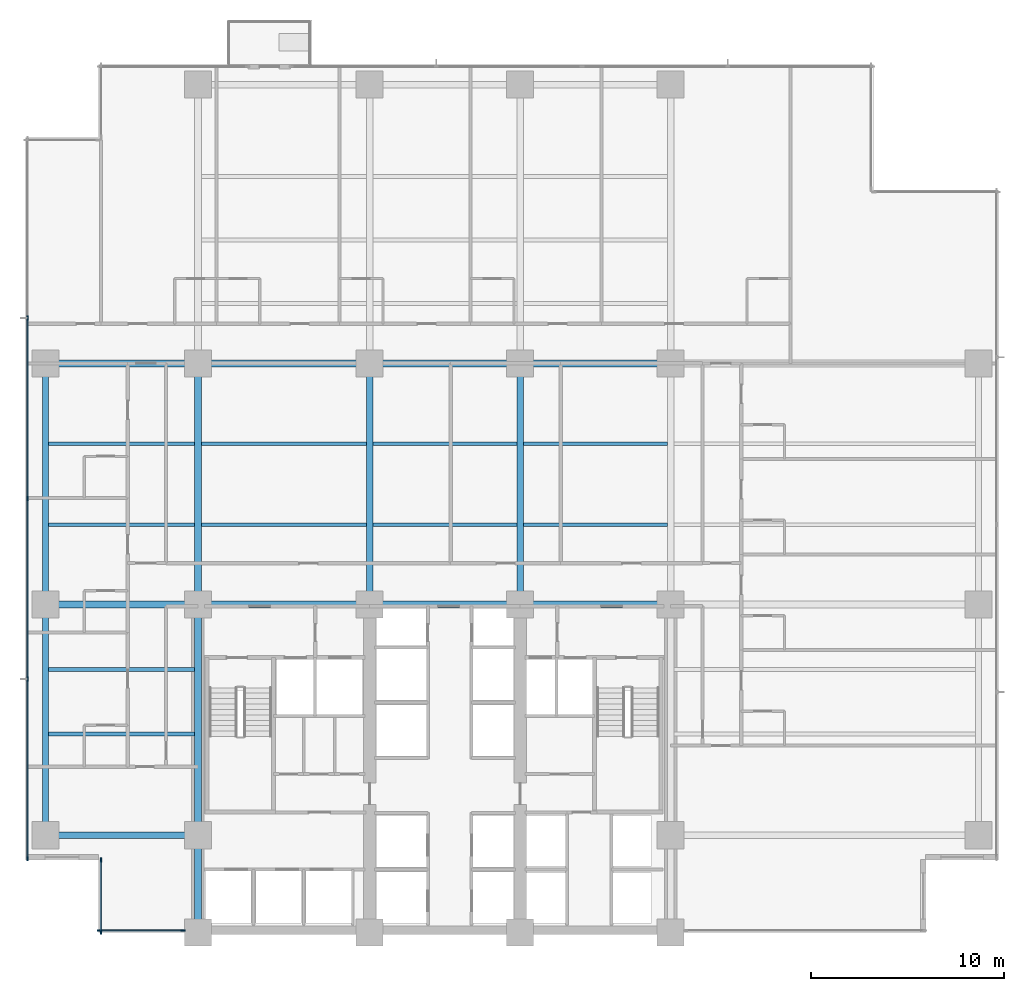
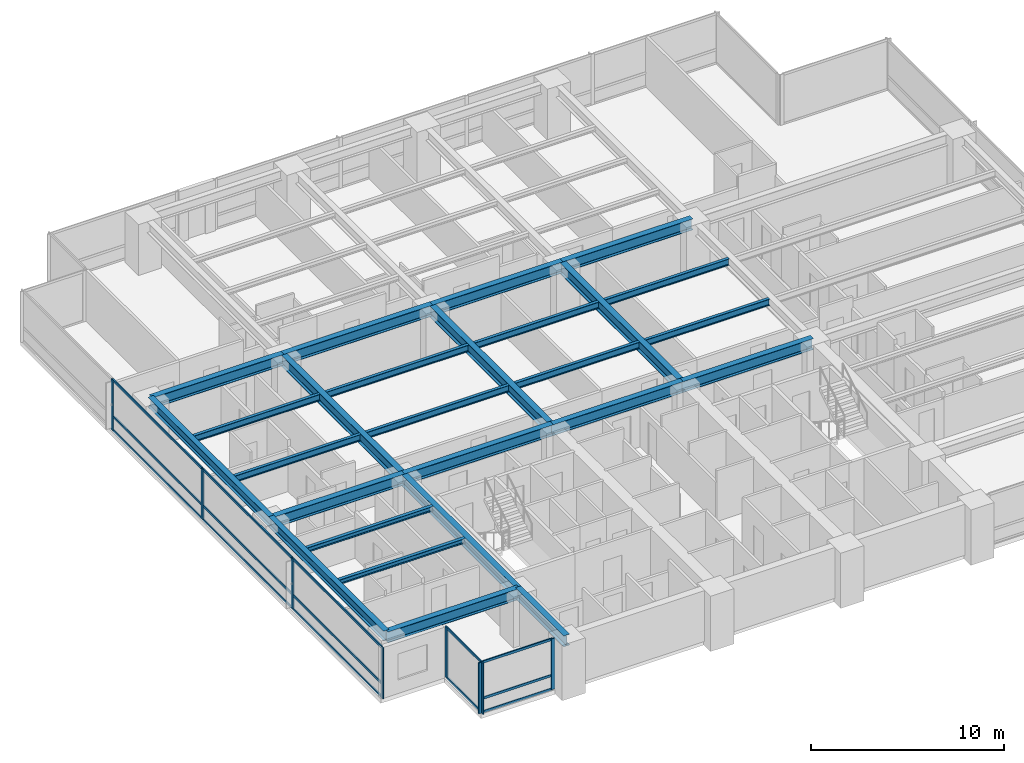
# One storey, part 2 of 17: 26 beams, 22 members, 3 elements without a shape of their own.
"""IFC4 building model written with IfcOpenShell, lengths in metres."""

from ifc_helpers import new_model, si_unit, direction, frame, origin, origin_2d, place, context, subcontext, project, spatial, rectangle, i_section, extrude, material, layer, layer_set, material_profile, profile_set, type_object, element, aggregate, save


model = new_model("IFC4")

# Units and contexts
model_context = context("Model", 3, precision=1e-05, world=origin(), true_north=direction((0.0, 1.0)))
body_context = subcontext(model_context, "Body", "Model", "MODEL_VIEW")
ifc_project = project(units=[si_unit("LENGTHUNIT", "METRE"), si_unit("AREAUNIT", "SQUARE_METRE"), si_unit("VOLUMEUNIT", "CUBIC_METRE"), si_unit("PLANEANGLEUNIT", "RADIAN"), si_unit("MASSUNIT", "GRAM", prefix="KILO")], contexts=[model_context])

# Site, building, storey
site_placement = place(None, origin())
site = spatial("IfcSite", under=ifc_project, at=site_placement, CompositionType="ELEMENT")
building_placement = place(site_placement, origin())
building = spatial("IfcBuilding", under=site, at=building_placement, Name="Qalmaran Belvedere Hotel", CompositionType="ELEMENT")
storey_placement = place(building_placement, frame((0.0, 0.0, 33.39990234375)))
storey = spatial("IfcBuildingStorey", under=building, at=storey_placement, Name="L07", CompositionType="ELEMENT", Elevation=33.39990234375)

# Beams
ifc_material_1 = material(Name="Steel S355JR", Category="steel")
ifc_material_profile_1 = material_profile(ifc_material_1, i_section(OverallWidth=0.202880859375, OverallDepth=0.302978515625, WebThickness=0.007568359375, FlangeThickness=0.01318359375, FilletRadius=0.012939453125, at=origin_2d()), Name="W310X60")
ifc_profile_set_1 = profile_set([ifc_material_profile_1], Name="Steel S355JR")
beam_type_1 = type_object("IfcBeamType", Name="BM-JST-W310X60", PredefinedType="JOIST", material=ifc_profile_set_1)
for number, where, z_axis, x_axis, name in (
    (1, (12.5615234375, 13.800048828125, 3.068603515625), (1.0, 0.0, 0.0), (0.0, 1.0, 0.0), "L07 West Wing Joist 038"),
    (2, (12.5615234375, 17.14990234375, 3.068603515625), (1.0, 0.0, 0.0), (0.0, 1.0, 0.0), "L07 West Wing Joist 040"),
):
    element("IfcBeam", number, at=place(storey_placement, frame(where, z_axis=z_axis, x_axis=x_axis)), inside=storey, type_object=beam_type_1, Name=name, PredefinedType="JOIST", context=body_context, shape_type="SweptSolid", body=[
        extrude(i_section(OverallWidth=0.202880859375, OverallDepth=0.302978515625, WebThickness=0.007568359375, FlangeThickness=0.01318359375, FilletRadius=0.012939453125, at=origin_2d()), origin(), (0.0, 0.0, 1.0), 7.56298828125),
    ])
ifc_material_profile_2 = material_profile(ifc_material_1, i_section(OverallWidth=0.180908203125, OverallDepth=0.4169921875, WebThickness=0.010986328125, FlangeThickness=0.018310546875, FilletRadius=0.014892578125, at=origin_2d()), Name="W410X85")
ifc_profile_set_2 = profile_set([ifc_material_profile_2], Name="Steel S355JR")
beam_type_2 = type_object("IfcBeamType", Name="BM-SB1-W410X85", PredefinedType="BEAM", material=ifc_profile_set_2)
beam_1_placement = place(storey_placement, frame((12.5615234375, 24.64990234375, 3.01171875), z_axis=(1.0, 0.0, 0.0), x_axis=(0.0, 1.0, 0.0)))
element("IfcBeam", 3, at=beam_1_placement, inside=storey, type_object=beam_type_2, Name="L07 West Secondary Beam 028", PredefinedType="BEAM", context=body_context, shape_type="SweptSolid", body=[
    extrude(i_section(OverallWidth=0.180908203125, OverallDepth=0.4169921875, WebThickness=0.010986328125, FlangeThickness=0.018310546875, FilletRadius=0.014892578125, at=origin_2d()), origin(), (0.0, 0.0, 1.0), 7.56298828125),
])
beam_2_placement = place(storey_placement, frame((20.4755859375, 24.64990234375, 3.01171875), z_axis=(1.0, 0.0, 0.0), x_axis=(0.0, 1.0, 0.0)))
element("IfcBeam", 4, at=beam_2_placement, inside=storey, type_object=beam_type_2, Name="L07 Secondary Floor Beam 029", PredefinedType="BEAM", context=body_context, shape_type="SweptSolid", body=[
    extrude(i_section(OverallWidth=0.180908203125, OverallDepth=0.4169921875, WebThickness=0.010986328125, FlangeThickness=0.018310546875, FilletRadius=0.014892578125, at=origin_2d()), origin(), (0.0, 0.0, 1.0), 8.548828125),
])
for number, where, z_axis, x_axis, name in (
    (5, (29.37548828125, 24.64990234375, 3.01171875), (1.0, 0.0, 0.0), (0.0, 1.0, 0.0), "L07 Secondary Floor Beam 030"),
    (6, (37.175537109375, 24.64990234375, 3.01171875), (1.0, 0.0, 0.0), (0.0, 1.0, 0.0), "L07 Secondary Floor Beam 031"),
):
    element("IfcBeam", number, at=place(storey_placement, frame(where, z_axis=z_axis, x_axis=x_axis)), inside=storey, type_object=beam_type_2, Name=name, PredefinedType="BEAM", context=body_context, shape_type="SweptSolid", body=[
        extrude(i_section(OverallWidth=0.180908203125, OverallDepth=0.4169921875, WebThickness=0.010986328125, FlangeThickness=0.018310546875, FilletRadius=0.014892578125, at=origin_2d()), origin(), (0.0, 0.0, 1.0), 7.448974609375),
    ])
beam_3_placement = place(storey_placement, frame((12.5615234375, 28.85009765625, 3.01171875), z_axis=(1.0, 0.0, 0.0), x_axis=(0.0, 1.0, 0.0)))
element("IfcBeam", 7, at=beam_3_placement, inside=storey, type_object=beam_type_2, Name="L07 West Secondary Beam 033", PredefinedType="BEAM", context=body_context, shape_type="SweptSolid", body=[
    extrude(i_section(OverallWidth=0.180908203125, OverallDepth=0.4169921875, WebThickness=0.010986328125, FlangeThickness=0.018310546875, FilletRadius=0.014892578125, at=origin_2d()), origin(), (0.0, 0.0, 1.0), 7.56298828125),
])
beam_4_placement = place(storey_placement, frame((20.4755859375, 28.85009765625, 3.01171875), z_axis=(1.0, 0.0, 0.0), x_axis=(0.0, 1.0, 0.0)))
element("IfcBeam", 8, at=beam_4_placement, inside=storey, type_object=beam_type_2, Name="L07 Secondary Floor Beam 034", PredefinedType="BEAM", context=body_context, shape_type="SweptSolid", body=[
    extrude(i_section(OverallWidth=0.180908203125, OverallDepth=0.4169921875, WebThickness=0.010986328125, FlangeThickness=0.018310546875, FilletRadius=0.014892578125, at=origin_2d()), origin(), (0.0, 0.0, 1.0), 8.548828125),
])
for number, where, z_axis, x_axis, name in (
    (9, (29.37548828125, 28.85009765625, 3.01171875), (1.0, 0.0, 0.0), (0.0, 1.0, 0.0), "L07 Secondary Floor Beam 035"),
    (10, (37.175537109375, 28.85009765625, 3.01171875), (1.0, 0.0, 0.0), (0.0, 1.0, 0.0), "L07 Secondary Floor Beam 036"),
):
    element("IfcBeam", number, at=place(storey_placement, frame(where, z_axis=z_axis, x_axis=x_axis)), inside=storey, type_object=beam_type_2, Name=name, PredefinedType="BEAM", context=body_context, shape_type="SweptSolid", body=[
        extrude(i_section(OverallWidth=0.180908203125, OverallDepth=0.4169921875, WebThickness=0.010986328125, FlangeThickness=0.018310546875, FilletRadius=0.014892578125, at=origin_2d()), origin(), (0.0, 0.0, 1.0), 7.448974609375),
    ])
ifc_material_profile_3 = material_profile(ifc_material_1, i_section(OverallWidth=0.326904296875, OverallDepth=0.6220703125, WebThickness=0.015380859375, FlangeThickness=0.0244140625, FilletRadius=0.02001953125, at=origin_2d()), Name="W610X195")
ifc_profile_set_3 = profile_set([ifc_material_profile_3], Name="Steel S355JR")
beam_type_3 = type_object("IfcBeamType", Name="BM-SP1-W610X195", PredefinedType="SPANDREL", material=ifc_profile_set_3)
beam_5_placement = place(storey_placement, frame((12.39990234375, 8.550048828125, 2.9091796875), z_axis=(0.0, 1.0, 0.0), x_axis=(-1.0, 0.0, 0.0)))
element("IfcBeam", 11, at=beam_5_placement, inside=storey, type_object=beam_type_3, Name="L07 Perimeter Spandrel 01", PredefinedType="SPANDREL", context=body_context, shape_type="SweptSolid", body=[
    extrude(i_section(OverallWidth=0.326904296875, OverallDepth=0.6220703125, WebThickness=0.015380859375, FlangeThickness=0.0244140625, FilletRadius=0.02001953125, at=origin_2d()), origin(), (0.0, 0.0, 1.0), 11.949951171875),
])
beam_6_placement = place(storey_placement, frame((12.39990234375, 20.5, 2.9091796875), z_axis=(0.0, 1.0, 0.0), x_axis=(-1.0, 0.0, 0.0)))
element("IfcBeam", 12, at=beam_6_placement, inside=storey, type_object=beam_type_3, Name="L07 Perimeter Spandrel 02", PredefinedType="SPANDREL", context=body_context, shape_type="SweptSolid", body=[
    extrude(i_section(OverallWidth=0.326904296875, OverallDepth=0.6220703125, WebThickness=0.015380859375, FlangeThickness=0.0244140625, FilletRadius=0.02001953125, at=origin_2d()), origin(), (0.0, 0.0, 1.0), 12.5),
])
ifc_material_profile_4 = material_profile(ifc_material_1, i_section(OverallWidth=0.35498046875, OverallDepth=0.695068359375, WebThickness=0.015380859375, FlangeThickness=0.02490234375, FilletRadius=0.02197265625, at=origin_2d()), Name="W690X217")
ifc_profile_set_4 = profile_set([ifc_material_profile_4], Name="Steel S355JR")
beam_type_4 = type_object("IfcBeamType", Name="BM-Z1-W690X217", PredefinedType="USERDEFINED", material=ifc_profile_set_4)
beam_7_placement = place(storey_placement, frame((20.300048828125, 20.5, 2.87255859375), z_axis=(1.0, 0.0, 0.0), x_axis=(0.0, 1.0, 0.0)))
element("IfcBeam", 13, at=beam_7_placement, inside=storey, type_object=beam_type_4, Name="L07 Interior E-W Girder 08", ObjectType="GIRDER", PredefinedType="USERDEFINED", context=body_context, shape_type="SweptSolid", body=[
    extrude(i_section(OverallWidth=0.35498046875, OverallDepth=0.695068359375, WebThickness=0.015380859375, FlangeThickness=0.02490234375, FilletRadius=0.02197265625, at=origin_2d()), origin(), (0.0, 0.0, 1.0), 8.89990234375),
])
for number, where, z_axis, x_axis, name in (
    (14, (29.199951171875, 20.5, 2.87255859375), (1.0, 0.0, 0.0), (0.0, 1.0, 0.0), "L07 Interior E-W Girder 09"),
    (15, (37.0, 20.5, 2.87255859375), (1.0, 0.0, 0.0), (0.0, 1.0, 0.0), "L07 Interior E-W Girder 10"),
):
    element("IfcBeam", number, at=place(storey_placement, frame(where, z_axis=z_axis, x_axis=x_axis)), inside=storey, type_object=beam_type_4, Name=name, ObjectType="GIRDER", PredefinedType="USERDEFINED", context=body_context, shape_type="SweptSolid", body=[
        extrude(i_section(OverallWidth=0.35498046875, OverallDepth=0.695068359375, WebThickness=0.015380859375, FlangeThickness=0.02490234375, FilletRadius=0.02197265625, at=origin_2d()), origin(), (0.0, 0.0, 1.0), 7.800048828125),
    ])
beam_8_placement = place(storey_placement, frame((20.300048828125, 33.0, 2.87255859375), z_axis=(1.0, 0.0, 0.0), x_axis=(0.0, 1.0, 0.0)))
element("IfcBeam", 16, at=beam_8_placement, inside=storey, type_object=beam_type_4, Name="L07 Interior E-W Girder 11", ObjectType="GIRDER", PredefinedType="USERDEFINED", context=body_context, shape_type="SweptSolid", body=[
    extrude(i_section(OverallWidth=0.35498046875, OverallDepth=0.695068359375, WebThickness=0.015380859375, FlangeThickness=0.02490234375, FilletRadius=0.02197265625, at=origin_2d()), origin(), (0.0, 0.0, 1.0), 8.89990234375),
])
for number, where, z_axis, x_axis, name in (
    (17, (29.199951171875, 33.0, 2.87255859375), (1.0, 0.0, 0.0), (0.0, 1.0, 0.0), "L07 Interior E-W Girder 12"),
    (18, (37.0, 33.0, 2.87255859375), (1.0, 0.0, 0.0), (0.0, 1.0, 0.0), "L07 Interior E-W Girder 13"),
):
    element("IfcBeam", number, at=place(storey_placement, frame(where, z_axis=z_axis, x_axis=x_axis)), inside=storey, type_object=beam_type_4, Name=name, ObjectType="GIRDER", PredefinedType="USERDEFINED", context=body_context, shape_type="SweptSolid", body=[
        extrude(i_section(OverallWidth=0.35498046875, OverallDepth=0.695068359375, WebThickness=0.015380859375, FlangeThickness=0.02490234375, FilletRadius=0.02197265625, at=origin_2d()), origin(), (0.0, 0.0, 1.0), 7.800048828125),
    ])
for number, where, z_axis, x_axis, name in (
    (19, (20.300048828125, 20.5, 2.87255859375), (0.0, 1.0, 0.0), (-1.0, 0.0, 0.0), "L07 Mid-Plate N-S Girder 14"),
    (20, (29.199951171875, 20.5, 2.87255859375), (0.0, 1.0, 0.0), (-1.0, 0.0, 0.0), "L07 Mid-Plate N-S Girder 16"),
    (21, (37.0, 20.5, 2.87255859375), (0.0, 1.0, 0.0), (-1.0, 0.0, 0.0), "L07 Mid-Plate N-S Girder 18"),
):
    element("IfcBeam", number, at=place(storey_placement, frame(where, z_axis=z_axis, x_axis=x_axis)), inside=storey, type_object=beam_type_4, Name=name, ObjectType="GIRDER", PredefinedType="USERDEFINED", context=body_context, shape_type="SweptSolid", body=[
        extrude(i_section(OverallWidth=0.35498046875, OverallDepth=0.695068359375, WebThickness=0.015380859375, FlangeThickness=0.02490234375, FilletRadius=0.02197265625, at=origin_2d()), origin(), (0.0, 0.0, 1.0), 12.5),
    ])
for number, where, z_axis, x_axis, name in (
    (22, (12.39990234375, 8.550048828125, 2.87255859375), (1.0, 0.0, 0.0), (0.0, 1.0, 0.0), "L07 West Wing Girder 22"),
    (23, (12.39990234375, 20.5, 2.87255859375), (1.0, 0.0, 0.0), (0.0, 1.0, 0.0), "L07 West Wing Girder 23"),
    (24, (12.39990234375, 33.0, 2.87255859375), (1.0, 0.0, 0.0), (0.0, 1.0, 0.0), "L07 West Wing Girder 24"),
):
    element("IfcBeam", number, at=place(storey_placement, frame(where, z_axis=z_axis, x_axis=x_axis)), inside=storey, type_object=beam_type_4, Name=name, ObjectType="GIRDER", PredefinedType="USERDEFINED", context=body_context, shape_type="SweptSolid", body=[
        extrude(i_section(OverallWidth=0.35498046875, OverallDepth=0.695068359375, WebThickness=0.015380859375, FlangeThickness=0.02490234375, FilletRadius=0.02197265625, at=origin_2d()), origin(), (0.0, 0.0, 1.0), 7.900146484375),
    ])
beam_9_placement = place(storey_placement, frame((20.300048828125, 3.5, 2.87255859375), z_axis=(0.0, 1.0, 0.0), x_axis=(-1.0, 0.0, 0.0)))
element("IfcBeam", 25, at=beam_9_placement, inside=storey, type_object=beam_type_4, Name="L07 West Core Edge Girder A", ObjectType="GIRDER", PredefinedType="USERDEFINED", context=body_context, shape_type="SweptSolid", body=[
    extrude(i_section(OverallWidth=0.35498046875, OverallDepth=0.695068359375, WebThickness=0.015380859375, FlangeThickness=0.02490234375, FilletRadius=0.02197265625, at=origin_2d()), origin(), (0.0, 0.0, 1.0), 5.050048828125),
])
beam_10_placement = place(storey_placement, frame((20.300048828125, 8.550048828125, 2.87255859375), z_axis=(0.0, 1.0, 0.0), x_axis=(-1.0, 0.0, 0.0)))
element("IfcBeam", 26, at=beam_10_placement, inside=storey, type_object=beam_type_4, Name="L07 West Core Edge Girder B", ObjectType="GIRDER", PredefinedType="USERDEFINED", context=body_context, shape_type="SweptSolid", body=[
    extrude(i_section(OverallWidth=0.35498046875, OverallDepth=0.695068359375, WebThickness=0.015380859375, FlangeThickness=0.02490234375, FilletRadius=0.02197265625, at=origin_2d()), origin(), (0.0, 0.0, 1.0), 11.949951171875),
])

# Curtain wall, members
ifc_material_2 = material(Name="Anodised Bronze Aluminium", Category="aluminium")
ifc_layer = layer(ifc_material_2, 0.2099609375, Name="Anodised Bronze Aluminium")
ifc_layer_set = layer_set([ifc_layer], Name="Anodised Bronze Aluminium")
curtain_wall_type = type_object("IfcCurtainWallType", Name="CW2-TOWER-LOWER", PredefinedType="NOTDEFINED", material=ifc_layer_set)
curtain_wall_1_placement = place(storey_placement, origin())
curtain_wall_1 = element("IfcCurtainWall", 27, at=curtain_wall_1_placement, inside=storey, type_object=curtain_wall_type, Name="L07 Curtain Wall CW2", PredefinedType="NOTDEFINED")
ifc_material_profile_5 = material_profile(ifc_material_2, rectangle(XDim=0.074951171875, YDim=0.219970703125, at=origin_2d()), Name="CWM75X220")
ifc_profile_set_5 = profile_set([ifc_material_profile_5], Name="Anodised Bronze Aluminium")
member_type_1 = type_object("IfcMemberType", Name="CWM-75X220", PredefinedType="MULLION", material=ifc_profile_set_5)
member_1_placement = place(storey_placement, frame((15.1875, 3.6201171875, 0.0), z_axis=(0.0, 0.0, 1.0), x_axis=(0.0, 1.0, 0.0)))
member_1 = element("IfcMember", 28, at=member_1_placement, type_object=member_type_1, Name="CW2 mullion 1", PredefinedType="MULLION", context=body_context, shape_type="SweptSolid", body=[
    extrude(rectangle(XDim=0.074951171875, YDim=0.219970703125, at=origin_2d()), origin(), (0.0, 0.0, 1.0), 3.22021484375),
])
member_2_placement = place(storey_placement, frame((19.5224609375, 3.6201171875, 0.0), z_axis=(0.0, 0.0, 1.0), x_axis=(0.0, 1.0, 0.0)))
member_2 = element("IfcMember", 29, at=member_2_placement, type_object=member_type_1, Name="CW2 mullion 2", PredefinedType="MULLION", context=body_context, shape_type="SweptSolid", body=[
    extrude(rectangle(XDim=0.074951171875, YDim=0.219970703125, at=origin_2d()), origin(), (0.0, 0.0, 1.0), 3.22021484375),
])

curtain_wall_2_placement = place(storey_placement, origin())
curtain_wall_2 = element("IfcCurtainWall", 30, at=curtain_wall_2_placement, inside=storey, type_object=curtain_wall_type, Name="L07 Curtain Wall CW2", PredefinedType="NOTDEFINED")
member_3_placement = place(storey_placement, frame((11.469970703125, 35.35009765625, 0.0), z_axis=(0.0, 0.0, 1.0), x_axis=(1.0, 0.0, 0.0)))
member_3 = element("IfcMember", 31, at=member_3_placement, type_object=member_type_1, Name="CW2 mullion 2", PredefinedType="MULLION", context=body_context, shape_type="SweptSolid", body=[
    extrude(rectangle(XDim=0.074951171875, YDim=0.219970703125, at=origin_2d()), origin(), (0.0, 0.0, 1.0), 3.22021484375),
])
member_4_placement = place(storey_placement, frame((11.469970703125, 26.0, 0.0), z_axis=(0.0, 0.0, 1.0), x_axis=(1.0, 0.0, 0.0)))
member_4 = element("IfcMember", 32, at=member_4_placement, type_object=member_type_1, Name="CW2 mullion 3", PredefinedType="MULLION", context=body_context, shape_type="SweptSolid", body=[
    extrude(rectangle(XDim=0.074951171875, YDim=0.219970703125, at=origin_2d()), origin(), (0.0, 0.0, 1.0), 3.22021484375),
])
member_5_placement = place(storey_placement, frame((11.469970703125, 16.64990234375, 0.0), z_axis=(0.0, 0.0, 1.0), x_axis=(1.0, 0.0, 0.0)))
member_5 = element("IfcMember", 33, at=member_5_placement, type_object=member_type_1, Name="CW2 mullion 4", PredefinedType="MULLION", context=body_context, shape_type="SweptSolid", body=[
    extrude(rectangle(XDim=0.074951171875, YDim=0.219970703125, at=origin_2d()), origin(), (0.0, 0.0, 1.0), 3.22021484375),
])
member_6_placement = place(storey_placement, frame((11.469970703125, 7.33740234375, 0.0), z_axis=(0.0, 0.0, 1.0), x_axis=(1.0, 0.0, 0.0)))
member_6 = element("IfcMember", 34, at=member_6_placement, type_object=member_type_1, Name="CW2 mullion 5", PredefinedType="MULLION", context=body_context, shape_type="SweptSolid", body=[
    extrude(rectangle(XDim=0.074951171875, YDim=0.219970703125, at=origin_2d()), origin(), (0.0, 0.0, 1.0), 3.22021484375),
])

curtain_wall_3_placement = place(storey_placement, origin())
curtain_wall_3 = element("IfcCurtainWall", 35, at=curtain_wall_3_placement, inside=storey, type_object=curtain_wall_type, Name="L07 Curtain Wall CW2", PredefinedType="NOTDEFINED")
member_7_placement = place(storey_placement, frame((15.27001953125, 7.262451171875, 0.0), z_axis=(0.0, 0.0, 1.0), x_axis=(1.0, 0.0, 0.0)))
member_7 = element("IfcMember", 36, at=member_7_placement, type_object=member_type_1, Name="CW2 mullion 1", PredefinedType="MULLION", context=body_context, shape_type="SweptSolid", body=[
    extrude(rectangle(XDim=0.074951171875, YDim=0.219970703125, at=origin_2d()), origin(), (0.0, 0.0, 1.0), 3.22021484375),
])
member_8_placement = place(storey_placement, frame((15.27001953125, 3.53759765625, 0.0), z_axis=(0.0, 0.0, 1.0), x_axis=(1.0, 0.0, 0.0)))
member_8 = element("IfcMember", 37, at=member_8_placement, type_object=member_type_1, Name="CW2 mullion 2", PredefinedType="MULLION", context=body_context, shape_type="SweptSolid", body=[
    extrude(rectangle(XDim=0.074951171875, YDim=0.219970703125, at=origin_2d()), origin(), (0.0, 0.0, 1.0), 3.22021484375),
])

# Member
ifc_material_profile_6 = material_profile(ifc_material_2, rectangle(XDim=0.070068359375, YDim=0.14990234375, at=origin_2d()), Name="CWT70X150")
ifc_profile_set_6 = profile_set([ifc_material_profile_6], Name="Anodised Bronze Aluminium")
member_type_2 = type_object("IfcMemberType", Name="CWT-70X150", PredefinedType="USERDEFINED", material=ifc_profile_set_6)
member_9_placement = place(storey_placement, frame((15.22509765625, 3.6201171875, 0.03515625), z_axis=(1.0, 0.0, 0.0), x_axis=(0.0, 1.0, 0.0)))
member_9 = element("IfcMember", 38, at=member_9_placement, type_object=member_type_2, Name="CW2 transom 1.1", ObjectType="TRANSOM", PredefinedType="USERDEFINED", context=body_context, shape_type="SweptSolid", body=[
    extrude(rectangle(XDim=0.070068359375, YDim=0.14990234375, at=origin_2d()), origin(), (0.0, 0.0, 1.0), 4.260009765625),
])

member_10_placement = place(storey_placement, frame((15.22509765625, 3.6201171875, 0.901611328125), z_axis=(1.0, 0.0, 0.0), x_axis=(0.0, 1.0, 0.0)))
member_10 = element("IfcMember", 39, at=member_10_placement, type_object=member_type_2, Name="CW2 transom 1.2", ObjectType="TRANSOM", PredefinedType="USERDEFINED", context=body_context, shape_type="SweptSolid", body=[
    extrude(rectangle(XDim=0.070068359375, YDim=0.14990234375, at=origin_2d()), origin(), (0.0, 0.0, 1.0), 4.260009765625),
])

member_11_placement = place(storey_placement, frame((15.22509765625, 3.6201171875, 3.18505859375), z_axis=(1.0, 0.0, 0.0), x_axis=(0.0, 1.0, 0.0)))
member_11 = element("IfcMember", 40, at=member_11_placement, type_object=member_type_2, Name="CW2 transom 1.3", ObjectType="TRANSOM", PredefinedType="USERDEFINED", context=body_context, shape_type="SweptSolid", body=[
    extrude(rectangle(XDim=0.070068359375, YDim=0.14990234375, at=origin_2d()), origin(), (0.0, 0.0, 1.0), 4.260009765625),
])

aggregate(curtain_wall_1, [member_1, member_2, member_9, member_10, member_11])

member_12_placement = place(storey_placement, frame((11.469970703125, 35.3125, 0.03515625), z_axis=(0.0, -1.0, 0.0), x_axis=(1.0, 0.0, 0.0)))
member_12 = element("IfcMember", 41, at=member_12_placement, type_object=member_type_2, Name="CW2 transom 2.1", ObjectType="TRANSOM", PredefinedType="USERDEFINED", context=body_context, shape_type="SweptSolid", body=[
    extrude(rectangle(XDim=0.070068359375, YDim=0.14990234375, at=origin_2d()), origin(), (0.0, 0.0, 1.0), 9.27490234375),
])

member_13_placement = place(storey_placement, frame((11.469970703125, 35.3125, 0.901611328125), z_axis=(0.0, -1.0, 0.0), x_axis=(1.0, 0.0, 0.0)))
member_13 = element("IfcMember", 42, at=member_13_placement, type_object=member_type_2, Name="CW2 transom 2.2", ObjectType="TRANSOM", PredefinedType="USERDEFINED", context=body_context, shape_type="SweptSolid", body=[
    extrude(rectangle(XDim=0.070068359375, YDim=0.14990234375, at=origin_2d()), origin(), (0.0, 0.0, 1.0), 9.27490234375),
])

member_14_placement = place(storey_placement, frame((11.469970703125, 35.3125, 3.18505859375), z_axis=(0.0, -1.0, 0.0), x_axis=(1.0, 0.0, 0.0)))
member_14 = element("IfcMember", 43, at=member_14_placement, type_object=member_type_2, Name="CW2 transom 2.3", ObjectType="TRANSOM", PredefinedType="USERDEFINED", context=body_context, shape_type="SweptSolid", body=[
    extrude(rectangle(XDim=0.070068359375, YDim=0.14990234375, at=origin_2d()), origin(), (0.0, 0.0, 1.0), 9.27490234375),
])

member_15_placement = place(storey_placement, frame((11.469970703125, 25.96240234375, 0.03515625), z_axis=(0.0, -1.0, 0.0), x_axis=(1.0, 0.0, 0.0)))
member_15 = element("IfcMember", 44, at=member_15_placement, type_object=member_type_2, Name="CW2 transom 3.1", ObjectType="TRANSOM", PredefinedType="USERDEFINED", context=body_context, shape_type="SweptSolid", body=[
    extrude(rectangle(XDim=0.070068359375, YDim=0.14990234375, at=origin_2d()), origin(), (0.0, 0.0, 1.0), 9.27490234375),
])

member_16_placement = place(storey_placement, frame((11.469970703125, 25.96240234375, 0.901611328125), z_axis=(0.0, -1.0, 0.0), x_axis=(1.0, 0.0, 0.0)))
member_16 = element("IfcMember", 45, at=member_16_placement, type_object=member_type_2, Name="CW2 transom 3.2", ObjectType="TRANSOM", PredefinedType="USERDEFINED", context=body_context, shape_type="SweptSolid", body=[
    extrude(rectangle(XDim=0.070068359375, YDim=0.14990234375, at=origin_2d()), origin(), (0.0, 0.0, 1.0), 9.27490234375),
])

member_17_placement = place(storey_placement, frame((11.469970703125, 25.96240234375, 3.18505859375), z_axis=(0.0, -1.0, 0.0), x_axis=(1.0, 0.0, 0.0)))
member_17 = element("IfcMember", 46, at=member_17_placement, type_object=member_type_2, Name="CW2 transom 3.3", ObjectType="TRANSOM", PredefinedType="USERDEFINED", context=body_context, shape_type="SweptSolid", body=[
    extrude(rectangle(XDim=0.070068359375, YDim=0.14990234375, at=origin_2d()), origin(), (0.0, 0.0, 1.0), 9.27490234375),
])

member_18_placement = place(storey_placement, frame((11.469970703125, 16.612548828125, 0.03515625), z_axis=(0.0, -1.0, 0.0), x_axis=(1.0, 0.0, 0.0)))
member_18 = element("IfcMember", 47, at=member_18_placement, type_object=member_type_2, Name="CW2 transom 4.1", ObjectType="TRANSOM", PredefinedType="USERDEFINED", context=body_context, shape_type="SweptSolid", body=[
    extrude(rectangle(XDim=0.070068359375, YDim=0.14990234375, at=origin_2d()), origin(), (0.0, 0.0, 1.0), 9.237548828125),
])

member_19_placement = place(storey_placement, frame((11.469970703125, 16.612548828125, 0.901611328125), z_axis=(0.0, -1.0, 0.0), x_axis=(1.0, 0.0, 0.0)))
member_19 = element("IfcMember", 48, at=member_19_placement, type_object=member_type_2, Name="CW2 transom 4.2", ObjectType="TRANSOM", PredefinedType="USERDEFINED", context=body_context, shape_type="SweptSolid", body=[
    extrude(rectangle(XDim=0.070068359375, YDim=0.14990234375, at=origin_2d()), origin(), (0.0, 0.0, 1.0), 9.237548828125),
])

member_20_placement = place(storey_placement, frame((11.469970703125, 16.612548828125, 3.18505859375), z_axis=(0.0, -1.0, 0.0), x_axis=(1.0, 0.0, 0.0)))
member_20 = element("IfcMember", 49, at=member_20_placement, type_object=member_type_2, Name="CW2 transom 4.3", ObjectType="TRANSOM", PredefinedType="USERDEFINED", context=body_context, shape_type="SweptSolid", body=[
    extrude(rectangle(XDim=0.070068359375, YDim=0.14990234375, at=origin_2d()), origin(), (0.0, 0.0, 1.0), 9.237548828125),
])

aggregate(curtain_wall_2, [member_3, member_4, member_5, member_6, member_12, member_13, member_14, member_15, member_16, member_17, member_18, member_19, member_20])

member_21_placement = place(storey_placement, frame((15.27001953125, 7.22509765625, 0.03515625), z_axis=(0.0, -1.0, 0.0), x_axis=(1.0, 0.0, 0.0)))
member_21 = element("IfcMember", 50, at=member_21_placement, type_object=member_type_2, Name="CW2 transom 1.1", ObjectType="TRANSOM", PredefinedType="USERDEFINED", context=body_context, shape_type="SweptSolid", body=[
    extrude(rectangle(XDim=0.070068359375, YDim=0.14990234375, at=origin_2d()), origin(), (0.0, 0.0, 1.0), 3.650146484375),
])

member_22_placement = place(storey_placement, frame((15.27001953125, 7.22509765625, 3.18505859375), z_axis=(0.0, -1.0, 0.0), x_axis=(1.0, 0.0, 0.0)))
member_22 = element("IfcMember", 51, at=member_22_placement, type_object=member_type_2, Name="CW2 transom 1.2", ObjectType="TRANSOM", PredefinedType="USERDEFINED", context=body_context, shape_type="SweptSolid", body=[
    extrude(rectangle(XDim=0.070068359375, YDim=0.14990234375, at=origin_2d()), origin(), (0.0, 0.0, 1.0), 3.650146484375),
])

aggregate(curtain_wall_3, [member_7, member_8, member_21, member_22])

save(model, "model.ifc")
